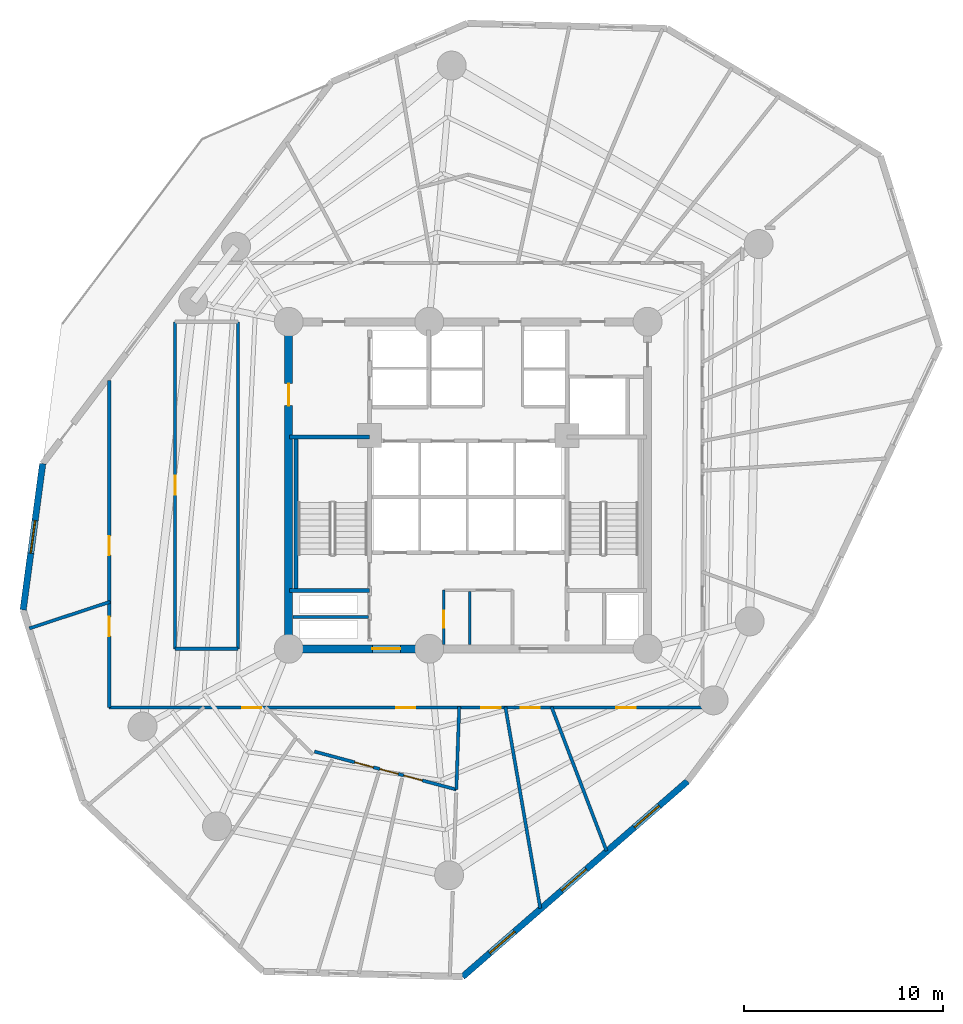
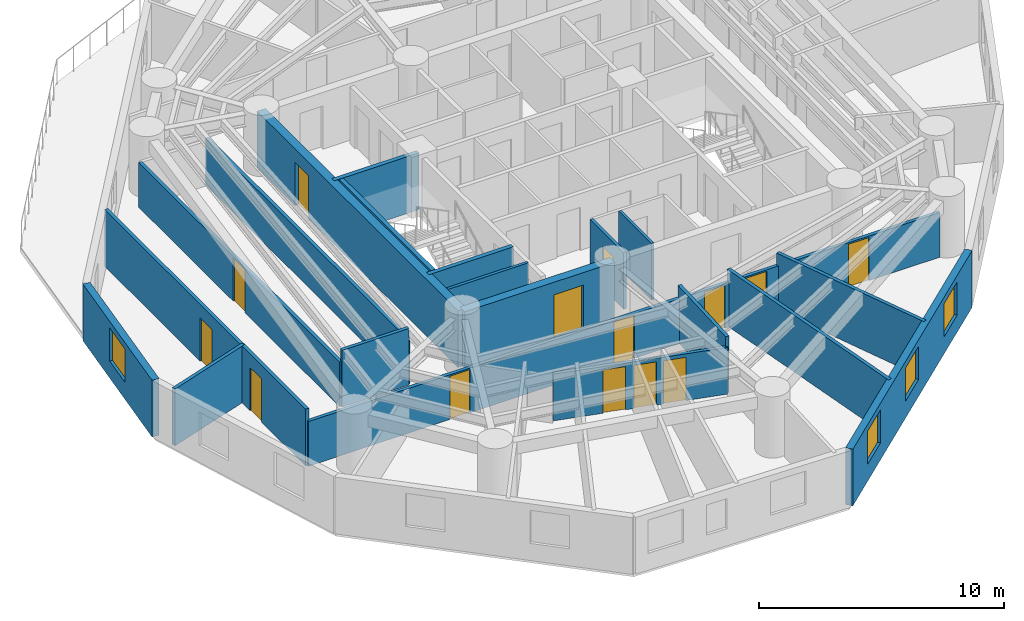
# One storey, part 3 of 9: 20 walls, 14 doors, 4 windows, 18 openings.
"""IFC4 building model written with IfcOpenShell, lengths in metres."""

from ifc_helpers import new_model, si_unit, direction, frame, frame_2d, origin, origin_with_axes, place, context, subcontext, project, spatial, rectangle, extrude, source, transform, mapped, material, layer, layer_set, type_object, element, fill, save


model = new_model("IFC4")

# Units and contexts
model_context = context("Model", 3, precision=1e-05, world=origin(), true_north=direction((0.0, 1.0)))
body_context = subcontext(model_context, "Body", "Model", "MODEL_VIEW")
ifc_project = project(units=[si_unit("LENGTHUNIT", "METRE"), si_unit("AREAUNIT", "SQUARE_METRE"), si_unit("VOLUMEUNIT", "CUBIC_METRE"), si_unit("PLANEANGLEUNIT", "RADIAN"), si_unit("MASSUNIT", "GRAM", prefix="KILO")], contexts=[model_context])

# Site, building, storey
site_placement = place(None, origin())
site = spatial("IfcSite", under=ifc_project, at=site_placement, CompositionType="ELEMENT")
building_placement = place(site_placement, origin())
building = spatial("IfcBuilding", under=site, at=building_placement, Name="Karkom Vertical University and Central Library", CompositionType="ELEMENT")
storey_placement = place(building_placement, frame((0.0, 0.0, 96.199951171875)))
storey = spatial("IfcBuildingStorey", under=building, at=storey_placement, Name="L25", CompositionType="ELEMENT", Elevation=96.199951171875)

# Wall, opening, window
ifc_material_1 = material(Name="Brick-faced precast concrete C45/55", Category="masonry")
ifc_layer_1 = layer(ifc_material_1, 0.320068359375)
ifc_layer_set_1 = layer_set([ifc_layer_1], Name="Brick-faced precast concrete C45/55")
wall_type_1 = type_object("IfcWallType", Name="ENV-WL-BRK-320", PredefinedType="SOLIDWALL", material=ifc_layer_set_1)
wall_1_placement = place(storey_placement, frame((7.16357421875, 27.585205078125, 0.0), z_axis=(0.0, 0.0, 1.0), x_axis=(-0.132479186678, -0.991185787377, 0.0)))
wall_1 = element("IfcWall", 1, at=wall_1_placement, inside=storey, type_object=wall_type_1, Name="Level 25 Brick-Faced Precast Facade Wall 01", PredefinedType="SOLIDWALL", context=body_context, shape_type="SweptSolid", body=[
    extrude(rectangle(XDim=7.40087890625, YDim=0.320068359375, at=frame_2d((3.700439453125, 0.0))), origin(), (0.0, 0.0, 1.0), 2.824951171875),
])
opening_1_placement = place(wall_1_placement, frame((2.87548828125, 0.0, 0.85009765625)))
opening_1 = element("IfcOpeningElement", 2, at=opening_1_placement, cuts=wall_1, Name="Opening WN-06", PredefinedType="OPENING", context=body_context, shape_type="SweptSolid", body=[
    extrude(rectangle(XDim=1.64990234375, YDim=1.64990234375, at=frame_2d((0.824951171875, 0.824951171875))), frame((0.0, 0.169921875, 0.0), z_axis=(0.0, -1.0, 0.0), x_axis=(1.0, 0.0, 0.0)), (0.0, 0.0, 1.0), 0.340087890625),
])
ifc_material_2 = material(Name="Aluminium thermal-break frame with solar-control IGU", Category="aluminium")
window_type = type_object("IfcWindowType", Name="ENV-WIN-WN-06", PartitioningType="SINGLE_PANEL", PredefinedType="WINDOW", material=ifc_material_2)
shared_shape_1 = source(origin_with_axes(), body_context, "Body", "SweptSolid", [
    extrude(rectangle(XDim=1.64990234375, YDim=1.64990234375, at=frame_2d((0.824951171875, 0.824951171875))), frame((0.0, 0.030029296875, 0.0), z_axis=(0.0, -1.0, 0.0), x_axis=(1.0, 0.0, 0.0)), (0.0, 0.0, 1.0), 0.06005859375),
])
window_1_placement = place(opening_1_placement, origin())
window_1 = element("IfcWindow", 3, at=window_1_placement, inside=storey, type_object=window_type, Name="Level 25 Punched Window 1.1", OverallHeight=1.64990234375, OverallWidth=1.64990234375, PartitioningType="SINGLE_PANEL", PredefinedType="WINDOW", context=body_context, shape_type="MappedRepresentation", body=[
    mapped(shared_shape_1, transform((0.0, 0.0, 0.0), scale=1.0)),
])
fill(opening_1, window_1)

# Wall, openings, windows
wall_2_placement = place(storey_placement, frame((28.2177734375, 1.85009765625, 0.0), z_axis=(0.0, 0.0, 1.0), x_axis=(0.754675133032, 0.65609865385, 0.0)))
wall_2 = element("IfcWall", 4, at=wall_2_placement, inside=storey, type_object=wall_type_1, Name="Level 25 Brick-Faced Precast Facade Wall 05", PredefinedType="SOLIDWALL", context=body_context, shape_type="SweptSolid", body=[
    extrude(rectangle(XDim=14.94921875, YDim=0.320068359375, at=frame_2d((7.474609375, 0.0))), origin(), (0.0, 0.0, 1.0), 2.824951171875),
])
opening_2_placement = place(wall_2_placement, frame((1.812744140625, 0.0, 0.85009765625)))
opening_2 = element("IfcOpeningElement", 5, at=opening_2_placement, cuts=wall_2, Name="Opening WN-06", PredefinedType="OPENING", context=body_context, shape_type="SweptSolid", body=[
    extrude(rectangle(XDim=1.64990234375, YDim=1.64990234375, at=frame_2d((0.824951171875, 0.824951171875))), frame((0.0, 0.169921875, 0.0), z_axis=(0.0, -1.0, 0.0), x_axis=(1.0, 0.0, 0.0)), (0.0, 0.0, 1.0), 0.340087890625),
])
opening_3_placement = place(wall_2_placement, frame((6.5859375, 0.0, 0.85009765625)))
opening_3 = element("IfcOpeningElement", 6, at=opening_3_placement, cuts=wall_2, Name="Opening WN-06", PredefinedType="OPENING", context=body_context, shape_type="SweptSolid", body=[
    extrude(rectangle(XDim=1.64990234375, YDim=1.64990234375, at=frame_2d((0.824951171875, 0.824951171875))), frame((0.0, 0.169921875, 0.0), z_axis=(0.0, -1.0, 0.0), x_axis=(1.0, 0.0, 0.0)), (0.0, 0.0, 1.0), 0.340087890625),
])
opening_4_placement = place(wall_2_placement, frame((11.4228515625, 0.0, 0.85009765625)))
opening_4 = element("IfcOpeningElement", 7, at=opening_4_placement, cuts=wall_2, Name="Opening WN-06", PredefinedType="OPENING", context=body_context, shape_type="SweptSolid", body=[
    extrude(rectangle(XDim=1.64990234375, YDim=1.64990234375, at=frame_2d((0.824951171875, 0.824951171875))), frame((0.0, 0.169921875, 0.0), z_axis=(0.0, -1.0, 0.0), x_axis=(1.0, 0.0, 0.0)), (0.0, 0.0, 1.0), 0.340087890625),
])
window_2_placement = place(opening_2_placement, origin())
window_2 = element("IfcWindow", 8, at=window_2_placement, inside=storey, type_object=window_type, Name="Level 25 Punched Window 5.1", OverallHeight=1.64990234375, OverallWidth=1.64990234375, PartitioningType="SINGLE_PANEL", PredefinedType="WINDOW", context=body_context, shape_type="MappedRepresentation", body=[
    mapped(shared_shape_1, transform((0.0, 0.0, 0.0), scale=1.0)),
])
fill(opening_2, window_2)
window_3_placement = place(opening_3_placement, origin())
window_3 = element("IfcWindow", 9, at=window_3_placement, inside=storey, type_object=window_type, Name="Level 25 Punched Window 5.2", OverallHeight=1.64990234375, OverallWidth=1.64990234375, PartitioningType="SINGLE_PANEL", PredefinedType="WINDOW", context=body_context, shape_type="MappedRepresentation", body=[
    mapped(shared_shape_1, transform((0.0, 0.0, 0.0), scale=1.0)),
])
fill(opening_3, window_3)
window_4_placement = place(opening_4_placement, origin())
window_4 = element("IfcWindow", 10, at=window_4_placement, inside=storey, type_object=window_type, Name="Level 25 Punched Window 5.3", OverallHeight=1.64990234375, OverallWidth=1.64990234375, PartitioningType="SINGLE_PANEL", PredefinedType="WINDOW", context=body_context, shape_type="MappedRepresentation", body=[
    mapped(shared_shape_1, transform((0.0, 0.0, 0.0), scale=1.0)),
])
fill(opening_4, window_4)

# Wall, openings, doors
ifc_material_3 = material(Name="Insulated metal-stud drywall 160mm", Category="gypsum")
ifc_layer_2 = layer(ifc_material_3, 0.159912109375)
ifc_layer_set_2 = layer_set([ifc_layer_2], Name="Insulated metal-stud drywall 160mm")
wall_type_2 = type_object("IfcWallType", Name="INT-WL-COR-160", PredefinedType="PARTITIONING", material=ifc_layer_set_2)
wall_3_placement = place(storey_placement, frame((40.25, 15.35009765625, 0.0), z_axis=(0.0, 0.0, 1.0), x_axis=(-1.0, 0.0, 0.0)))
wall_3 = element("IfcWall", 11, at=wall_3_placement, inside=storey, type_object=wall_type_2, Name="Level 25 Interior Partition Wall L25-CORW-CW-001", PredefinedType="PARTITIONING", context=body_context, shape_type="SweptSolid", body=[
    extrude(rectangle(XDim=29.75, YDim=0.159912109375, at=frame_2d((14.875, 0.0))), origin(), (0.0, 0.0, 1.0), 2.22509765625),
])
opening_5_placement = place(wall_3_placement, frame((22.12744140625, 0.0, 0.0)))
opening_5 = element("IfcOpeningElement", 12, at=opening_5_placement, cuts=wall_3, Name="Opening D-RM1", PredefinedType="OPENING", context=body_context, shape_type="SweptSolid", body=[
    extrude(rectangle(XDim=0.949951171875, YDim=2.14990234375, at=frame_2d((0.47509765625, 1.074951171875))), frame((0.0, 0.08984375, 0.0), z_axis=(0.0, -1.0, 0.0), x_axis=(1.0, 0.0, 0.0)), (0.0, 0.0, 1.0), 0.179931640625),
])
opening_6_placement = place(wall_3_placement, frame((14.39990234375, 0.0, 0.0)))
opening_6 = element("IfcOpeningElement", 13, at=opening_6_placement, cuts=wall_3, Name="Opening FD-RM2", PredefinedType="OPENING", context=body_context, shape_type="SweptSolid", body=[
    extrude(rectangle(XDim=0.9599609375, YDim=2.14990234375, at=frame_2d((0.47998046875, 1.074951171875))), frame((0.0, 0.08984375, 0.0), z_axis=(0.0, -1.0, 0.0), x_axis=(1.0, 0.0, 0.0)), (0.0, 0.0, 1.0), 0.179931640625),
])
opening_7_placement = place(wall_3_placement, frame((10.12744140625, 0.0, 0.0)))
opening_7 = element("IfcOpeningElement", 14, at=opening_7_placement, cuts=wall_3, Name="Opening FD-RM2", PredefinedType="OPENING", context=body_context, shape_type="SweptSolid", body=[
    extrude(rectangle(XDim=0.9599609375, YDim=2.14990234375, at=frame_2d((0.47998046875, 1.074951171875))), frame((0.0, 0.08984375, 0.0), z_axis=(0.0, -1.0, 0.0), x_axis=(1.0, 0.0, 0.0)), (0.0, 0.0, 1.0), 0.179931640625),
])
opening_8_placement = place(wall_3_placement, frame((8.157958984375, 0.0, 0.0)))
opening_8 = element("IfcOpeningElement", 15, at=opening_8_placement, cuts=wall_3, Name="Opening D-RM1", PredefinedType="OPENING", context=body_context, shape_type="SweptSolid", body=[
    extrude(rectangle(XDim=0.949951171875, YDim=2.14990234375, at=frame_2d((0.47509765625, 1.074951171875))), frame((0.0, 0.08984375, 0.0), z_axis=(0.0, -1.0, 0.0), x_axis=(1.0, 0.0, 0.0)), (0.0, 0.0, 1.0), 0.179931640625),
])
opening_9_placement = place(wall_3_placement, frame((3.352783203125, 0.0, 0.0)))
opening_9 = element("IfcOpeningElement", 16, at=opening_9_placement, cuts=wall_3, Name="Opening FD-RM2", PredefinedType="OPENING", context=body_context, shape_type="SweptSolid", body=[
    extrude(rectangle(XDim=0.9599609375, YDim=2.14990234375, at=frame_2d((0.47998046875, 1.074951171875))), frame((0.0, 0.08984375, 0.0), z_axis=(0.0, -1.0, 0.0), x_axis=(1.0, 0.0, 0.0)), (0.0, 0.0, 1.0), 0.179931640625),
])
ifc_material_4 = material(Name="Fire-rated oak veneer door", Category="wood")
door_type_1 = type_object("IfcDoorType", Name="INT-DR-FRM2", OperationType="NOTDEFINED", PredefinedType="DOOR", material=ifc_material_4)
shared_shape_2 = source(origin_with_axes(), body_context, "Body", "SweptSolid", [
    extrude(rectangle(XDim=0.9599609375, YDim=2.14990234375, at=frame_2d((0.47998046875, 1.074951171875))), frame((0.0, 0.02490234375, 0.0), z_axis=(0.0, -1.0, 0.0), x_axis=(1.0, 0.0, 0.0)), (0.0, 0.0, 1.0), 0.050048828125),
])
door_1_placement = place(opening_6_placement, origin())
door_1 = element("IfcDoor", 17, at=door_1_placement, inside=storey, type_object=door_type_1, Name="Level 25 Room Entry Door 050", OperationType="SINGLE_SWING_RIGHT", OverallHeight=2.14990234375, OverallWidth=0.9599609375, PredefinedType="DOOR", context=body_context, shape_type="MappedRepresentation", body=[
    mapped(shared_shape_2, transform((0.0, 0.0, 0.0), scale=1.0)),
])
fill(opening_6, door_1)
door_2_placement = place(opening_7_placement, origin())
door_2 = element("IfcDoor", 18, at=door_2_placement, inside=storey, type_object=door_type_1, Name="Level 25 Room Entry Door 080", OperationType="SINGLE_SWING_LEFT", OverallHeight=2.14990234375, OverallWidth=0.9599609375, PredefinedType="DOOR", context=body_context, shape_type="MappedRepresentation", body=[
    mapped(shared_shape_2, transform((0.0, 0.0, 0.0), scale=1.0)),
])
fill(opening_7, door_2)
door_3_placement = place(opening_9_placement, origin())
door_3 = element("IfcDoor", 19, at=door_3_placement, inside=storey, type_object=door_type_1, Name="Level 25 Room Entry Door 100", OperationType="SINGLE_SWING_LEFT", OverallHeight=2.14990234375, OverallWidth=0.9599609375, PredefinedType="DOOR", context=body_context, shape_type="MappedRepresentation", body=[
    mapped(shared_shape_2, transform((0.0, 0.0, 0.0), scale=1.0)),
])
fill(opening_9, door_3)
ifc_material_5 = material(Name="Solid-core oak veneer door", Category="wood")
door_type_2 = type_object("IfcDoorType", Name="INT-DR-RM1", OperationType="NOTDEFINED", PredefinedType="DOOR", material=ifc_material_5)
shared_shape_3 = source(origin_with_axes(), body_context, "Body", "SweptSolid", [
    extrude(rectangle(XDim=0.949951171875, YDim=2.14990234375, at=frame_2d((0.47509765625, 1.074951171875))), frame((0.0, 0.02490234375, 0.0), z_axis=(0.0, -1.0, 0.0), x_axis=(1.0, 0.0, 0.0)), (0.0, 0.0, 1.0), 0.050048828125),
])
door_4_placement = place(opening_5_placement, origin())
door_4 = element("IfcDoor", 20, at=door_4_placement, inside=storey, type_object=door_type_2, Name="Level 25 Room Entry Door 020", OperationType="SINGLE_SWING_LEFT", OverallHeight=2.14990234375, OverallWidth=0.949951171875, PredefinedType="DOOR", context=body_context, shape_type="MappedRepresentation", body=[
    mapped(shared_shape_3, transform((0.0, 0.0, 0.0), scale=1.0)),
])
fill(opening_5, door_4)
door_5_placement = place(opening_8_placement, origin())
door_5 = element("IfcDoor", 21, at=door_5_placement, inside=storey, type_object=door_type_2, Name="Level 25 Room Entry Door 090", OperationType="SINGLE_SWING_RIGHT", OverallHeight=2.14990234375, OverallWidth=0.949951171875, PredefinedType="DOOR", context=body_context, shape_type="MappedRepresentation", body=[
    mapped(shared_shape_3, transform((0.0, 0.0, 0.0), scale=1.0)),
])
fill(opening_8, door_5)

# Wall, opening, door
wall_4_placement = place(storey_placement, frame((13.800048828125, 34.699951171875, 0.0), z_axis=(0.0, 0.0, 1.0), x_axis=(0.0, -1.0, 0.0)))
wall_4 = element("IfcWall", 22, at=wall_4_placement, inside=storey, type_object=wall_type_2, Name="Level 25 Interior Partition Wall L25-CORW-CW-006", PredefinedType="PARTITIONING", context=body_context, shape_type="SweptSolid", body=[
    extrude(rectangle(XDim=16.39990234375, YDim=0.159912109375, at=frame_2d((8.199951171875, 0.0))), origin(), (0.0, 0.0, 1.0), 2.22509765625),
])
opening_10_placement = place(wall_4_placement, frame((7.72509765625, 0.0, 0.0)))
opening_10 = element("IfcOpeningElement", 23, at=opening_10_placement, cuts=wall_4, Name="Opening FD-RM2", PredefinedType="OPENING", context=body_context, shape_type="SweptSolid", body=[
    extrude(rectangle(XDim=0.9599609375, YDim=2.14990234375, at=frame_2d((0.47998046875, 1.074951171875))), frame((0.0, 0.08984375, 0.0), z_axis=(0.0, -1.0, 0.0), x_axis=(1.0, 0.0, 0.0)), (0.0, 0.0, 1.0), 0.179931640625),
])
door_6_placement = place(opening_10_placement, origin())
door_6 = element("IfcDoor", 24, at=door_6_placement, inside=storey, type_object=door_type_1, Name="Level 25 Room Entry Door 250", OperationType="SINGLE_SWING_LEFT", OverallHeight=2.14990234375, OverallWidth=0.9599609375, PredefinedType="DOOR", context=body_context, shape_type="MappedRepresentation", body=[
    mapped(shared_shape_2, transform((0.0, 0.0, 0.0), scale=1.0)),
])
fill(opening_10, door_6)

# Wall
wall_5_placement = place(storey_placement, frame((16.949951171875, 18.300048828125, 0.0), z_axis=(0.0, 0.0, 1.0), x_axis=(0.0, 1.0, 0.0)))
element("IfcWall", 25, at=wall_5_placement, inside=storey, type_object=wall_type_2, Name="Level 25 Interior Partition Wall L25-CORW-CW-008", PredefinedType="PARTITIONING", context=body_context, shape_type="SweptSolid", body=[
    extrude(rectangle(XDim=16.39990234375, YDim=0.159912109375, at=frame_2d((8.199951171875, 0.0))), origin(), (0.0, 0.0, 1.0), 2.324951171875),
])

# Wall, openings, doors
wall_6_placement = place(storey_placement, frame((10.5, 15.35009765625, 0.0), z_axis=(0.0, 0.0, 1.0), x_axis=(0.0, 1.0, 0.0)))
wall_6 = element("IfcWall", 26, at=wall_6_placement, inside=storey, type_object=wall_type_2, Name="Level 25 Interior Partition Wall L25-CORW-CW-002", PredefinedType="PARTITIONING", context=body_context, shape_type="SweptSolid", body=[
    extrude(rectangle(XDim=16.3935546875, YDim=0.159912109375, at=frame_2d((8.19677734375, 0.0))), origin(), (0.0, 0.0, 1.0), 2.824951171875),
])
opening_11_placement = place(wall_6_placement, frame((7.64794921875, 0.0, 0.0)))
opening_11 = element("IfcOpeningElement", 27, at=opening_11_placement, cuts=wall_6, Name="Opening D-RM1", PredefinedType="OPENING", context=body_context, shape_type="SweptSolid", body=[
    extrude(rectangle(XDim=0.949951171875, YDim=2.14990234375, at=frame_2d((0.47509765625, 1.074951171875))), frame((0.0, 0.08984375, 0.0), z_axis=(0.0, -1.0, 0.0), x_axis=(1.0, 0.0, 0.0)), (0.0, 0.0, 1.0), 0.179931640625),
])
opening_12_placement = place(wall_6_placement, frame((3.58642578125, 0.0, 0.0)))
opening_12 = element("IfcOpeningElement", 28, at=opening_12_placement, cuts=wall_6, Name="Opening FD-RM2", PredefinedType="OPENING", context=body_context, shape_type="SweptSolid", body=[
    extrude(rectangle(XDim=0.9599609375, YDim=2.14990234375, at=frame_2d((0.47998046875, 1.074951171875))), frame((0.0, 0.08984375, 0.0), z_axis=(0.0, -1.0, 0.0), x_axis=(1.0, 0.0, 0.0)), (0.0, 0.0, 1.0), 0.179931640625),
])
door_7_placement = place(opening_12_placement, origin())
door_7 = element("IfcDoor", 29, at=door_7_placement, inside=storey, type_object=door_type_1, Name="Level 25 Room Entry Door 010", OperationType="SINGLE_SWING_RIGHT", OverallHeight=2.14990234375, OverallWidth=0.9599609375, PredefinedType="DOOR", context=body_context, shape_type="MappedRepresentation", body=[
    mapped(shared_shape_2, transform((0.0, 0.0, 0.0), scale=1.0)),
])
fill(opening_12, door_7)
door_8_placement = place(opening_11_placement, origin())
door_8 = element("IfcDoor", 30, at=door_8_placement, inside=storey, type_object=door_type_2, Name="Level 25 Room Entry Door 000", OperationType="SINGLE_SWING_LEFT", OverallHeight=2.14990234375, OverallWidth=0.949951171875, PredefinedType="DOOR", context=body_context, shape_type="MappedRepresentation", body=[
    mapped(shared_shape_3, transform((0.0, 0.0, 0.0), scale=1.0)),
])
fill(opening_11, door_8)

# Walls
wall_7_placement = place(storey_placement, frame((30.36474609375, 15.394287109375, 0.0), z_axis=(0.0, 0.0, 1.0), x_axis=(0.170863116861, -0.985294775839, 0.0)))
element("IfcWall", 31, at=wall_7_placement, inside=storey, type_object=wall_type_2, Name="Level 25 Interior Partition Wall L25-PW-016", PredefinedType="PARTITIONING", context=body_context, shape_type="SweptSolid", body=[
    extrude(rectangle(XDim=10.25927734375, YDim=0.159912109375, at=frame_2d((5.129638671875, 0.0))), origin(), (0.0, 0.0, 1.0), 2.824951171875),
])
wall_8_placement = place(storey_placement, frame((32.67919921875, 15.39208984375, 0.0), z_axis=(0.0, 0.0, 1.0), x_axis=(0.356831287963, -0.934168845515, 0.0)))
element("IfcWall", 32, at=wall_8_placement, inside=storey, type_object=wall_type_2, Name="Level 25 Interior Partition Wall L25-PW-017", PredefinedType="PARTITIONING", context=body_context, shape_type="SweptSolid", body=[
    extrude(rectangle(XDim=7.73486328125, YDim=0.159912109375, at=frame_2d((3.867431640625, 0.0))), origin(), (0.0, 0.0, 1.0), 2.824951171875),
])

# Wall, openings, doors
wall_9_placement = place(storey_placement, frame((27.906982421875, 11.24169921875, 0.0), z_axis=(0.0, 0.0, 1.0), x_axis=(-0.965920682586, 0.258838240899, 0.0)))
wall_9 = element("IfcWall", 33, at=wall_9_placement, inside=storey, type_object=wall_type_2, Name="Level 25 Interior Partition Wall L25-PW-011", PredefinedType="PARTITIONING", context=body_context, shape_type="SweptSolid", body=[
    extrude(rectangle(XDim=7.366455078125, YDim=0.159912109375, at=frame_2d((3.68310546875, 0.0))), origin(), (0.0, 0.0, 1.0), 2.324951171875),
])
opening_13_placement = place(wall_9_placement, frame((4.313232421875, 0.0, 0.0)))
opening_13 = element("IfcOpeningElement", 34, at=opening_13_placement, cuts=wall_9, Name="Opening FD-RM2", PredefinedType="OPENING", context=body_context, shape_type="SweptSolid", body=[
    extrude(rectangle(XDim=0.9599609375, YDim=2.14990234375, at=frame_2d((0.47998046875, 1.074951171875))), frame((0.0, 0.08984375, 0.0), z_axis=(0.0, -1.0, 0.0), x_axis=(1.0, 0.0, 0.0)), (0.0, 0.0, 1.0), 0.179931640625),
])
opening_14_placement = place(wall_9_placement, frame((3.018310546875, 0.0, 0.0)))
opening_14 = element("IfcOpeningElement", 35, at=opening_14_placement, cuts=wall_9, Name="Opening D-RM1", PredefinedType="OPENING", context=body_context, shape_type="SweptSolid", body=[
    extrude(rectangle(XDim=0.949951171875, YDim=2.14990234375, at=frame_2d((0.47509765625, 1.074951171875))), frame((0.0, 0.08984375, 0.0), z_axis=(0.0, -1.0, 0.0), x_axis=(1.0, 0.0, 0.0)), (0.0, 0.0, 1.0), 0.179931640625),
])
opening_15_placement = place(wall_9_placement, frame((1.76318359375, 0.0, 0.0)))
opening_15 = element("IfcOpeningElement", 36, at=opening_15_placement, cuts=wall_9, Name="Opening FD-RM2", PredefinedType="OPENING", context=body_context, shape_type="SweptSolid", body=[
    extrude(rectangle(XDim=0.9599609375, YDim=2.14990234375, at=frame_2d((0.47998046875, 1.074951171875))), frame((0.0, 0.08984375, 0.0), z_axis=(0.0, -1.0, 0.0), x_axis=(1.0, 0.0, 0.0)), (0.0, 0.0, 1.0), 0.179931640625),
])
door_9_placement = place(opening_13_placement, origin())
door_9 = element("IfcDoor", 37, at=door_9_placement, inside=storey, type_object=door_type_1, Name="Level 25 Room Entry Door 040", OperationType="SINGLE_SWING_LEFT", OverallHeight=2.14990234375, OverallWidth=0.9599609375, PredefinedType="DOOR", context=body_context, shape_type="MappedRepresentation", body=[
    mapped(shared_shape_2, transform((0.0, 0.0, 0.0), scale=1.0)),
])
fill(opening_13, door_9)
door_10_placement = place(opening_15_placement, origin())
door_10 = element("IfcDoor", 38, at=door_10_placement, inside=storey, type_object=door_type_1, Name="Level 25 Room Entry Door 070", OperationType="SINGLE_SWING_LEFT", OverallHeight=2.14990234375, OverallWidth=0.9599609375, PredefinedType="DOOR", context=body_context, shape_type="MappedRepresentation", body=[
    mapped(shared_shape_2, transform((0.0, 0.0, 0.0), scale=1.0)),
])
fill(opening_15, door_10)
door_11_placement = place(opening_14_placement, origin())
door_11 = element("IfcDoor", 39, at=door_11_placement, inside=storey, type_object=door_type_2, Name="Level 25 Room Entry Door 060", OperationType="SINGLE_SWING_RIGHT", OverallHeight=2.14990234375, OverallWidth=0.949951171875, PredefinedType="DOOR", context=body_context, shape_type="MappedRepresentation", body=[
    mapped(shared_shape_3, transform((0.0, 0.0, 0.0), scale=1.0)),
])
fill(opening_14, door_11)

# Walls
wall_10_placement = place(storey_placement, frame((10.542724609375, 20.656005859375, 0.0), z_axis=(0.0, 0.0, 1.0), x_axis=(-0.949931162853, -0.312459254689, 0.0)))
element("IfcWall", 40, at=wall_10_placement, inside=storey, type_object=wall_type_2, Name="Level 25 Interior Partition Wall L25-PW-001", PredefinedType="PARTITIONING", context=body_context, shape_type="SweptSolid", body=[
    extrude(rectangle(XDim=4.259033203125, YDim=0.159912109375, at=frame_2d((2.12939453125, 0.0))), origin(), (0.0, 0.0, 1.0), 2.824951171875),
])
wall_11_placement = place(storey_placement, frame((28.052001953125, 15.39501953125, 0.0), z_axis=(0.0, 0.0, 1.0), x_axis=(-0.034895264462, -0.999390974803, 0.0)))
element("IfcWall", 41, at=wall_11_placement, inside=storey, type_object=wall_type_2, Name="Level 25 Interior Partition Wall L25-PW-012", PredefinedType="PARTITIONING", context=body_context, shape_type="SweptSolid", body=[
    extrude(rectangle(XDim=4.15576171875, YDim=0.159912109375, at=frame_2d((2.077880859375, 0.0))), origin(), (0.0, 0.0, 1.0), 2.824951171875),
])
wall_12_placement = place(storey_placement, frame((13.800048828125, 18.300048828125, 0.0), z_axis=(0.0, 0.0, 1.0), x_axis=(1.0, 0.0, 0.0)))
element("IfcWall", 42, at=wall_12_placement, inside=storey, type_object=wall_type_2, Name="Level 25 Interior Partition Wall L25-CORW-CW-007", PredefinedType="PARTITIONING", context=body_context, shape_type="SweptSolid", body=[
    extrude(rectangle(XDim=3.14990234375, YDim=0.159912109375, at=frame_2d((1.574951171875, 0.0))), origin(), (0.0, 0.0, 1.0), 2.824951171875),
])
ifc_material_6 = material(Name="Moisture-resistant drywall 120mm", Category="gypsum")
ifc_layer_3 = layer(ifc_material_6, 0.1201171875)
ifc_layer_set_3 = layer_set([ifc_layer_3], Name="Moisture-resistant drywall 120mm")
wall_type_3 = type_object("IfcWallType", Name="INT-WL-INT-120", PredefinedType="PARTITIONING", material=ifc_layer_set_3)
wall_13_placement = place(storey_placement, frame((28.580078125, 18.507080078125, 0.0), z_axis=(0.0, 0.0, 1.0), x_axis=(0.0, 1.0, 0.0)))
element("IfcWall", 43, at=wall_13_placement, inside=storey, type_object=wall_type_3, Name="Level 25 Interior Partition Wall L25-CW-K2-DIV", PredefinedType="PARTITIONING", context=body_context, shape_type="SweptSolid", body=[
    extrude(rectangle(XDim=2.66162109375, YDim=0.1201171875, at=frame_2d((1.330810546875, 0.0))), origin(), (0.0, 0.0, 1.0), 2.824951171875),
])

# Wall, opening, door
ifc_material_7 = material(Name="Metal-stud gypsum partition 140mm", Category="gypsum")
ifc_layer_4 = layer(ifc_material_7, 0.139892578125)
ifc_layer_set_4 = layer_set([ifc_layer_4], Name="Metal-stud gypsum partition 140mm")
wall_type_4 = type_object("IfcWallType", Name="INT-WL-SUB-140", PredefinedType="PARTITIONING", material=ifc_layer_set_4)
wall_14_placement = place(storey_placement, frame((27.280029296875, 18.507080078125, 0.0), z_axis=(0.0, 0.0, 1.0), x_axis=(0.0, 1.0, 0.0)))
wall_14 = element("IfcWall", 44, at=wall_14_placement, inside=storey, type_object=wall_type_4, Name="Level 25 Interior Partition Wall L25-CW-KBAY-W", PredefinedType="PARTITIONING", context=body_context, shape_type="SweptSolid", body=[
    extrude(rectangle(XDim=2.73291015625, YDim=0.139892578125, at=frame_2d((1.366455078125, 0.0))), origin(), (0.0, 0.0, 1.0), 2.824951171875),
])
opening_16_placement = place(wall_14_placement, frame((0.840087890625, 0.0, 0.0)))
opening_16 = element("IfcOpeningElement", 45, at=opening_16_placement, cuts=wall_14, Name="Opening D-BATH", PredefinedType="OPENING", context=body_context, shape_type="SweptSolid", body=[
    extrude(rectangle(XDim=0.860107421875, YDim=2.10009765625, at=frame_2d((0.43017578125, 1.050048828125))), frame((0.0, 0.080078125, 0.0), z_axis=(0.0, -1.0, 0.0), x_axis=(1.0, 0.0, 0.0)), (0.0, 0.0, 1.0), 0.159912109375),
])
ifc_material_8 = material(Name="Moisture-resistant oak door", Category="wood")
door_type_3 = type_object("IfcDoorType", Name="INT-DR-BATH", OperationType="NOTDEFINED", PredefinedType="DOOR", material=ifc_material_8)
shared_shape_4 = source(origin_with_axes(), body_context, "Body", "SweptSolid", [
    extrude(rectangle(XDim=0.860107421875, YDim=2.10009765625, at=frame_2d((0.43017578125, 1.050048828125))), frame((0.0, 0.02490234375, 0.0), z_axis=(0.0, -1.0, 0.0), x_axis=(1.0, 0.0, 0.0)), (0.0, 0.0, 1.0), 0.050048828125),
])
door_12_placement = place(opening_16_placement, origin())
door_12 = element("IfcDoor", 46, at=door_12_placement, inside=storey, type_object=door_type_3, Name="Level 25 Cleaners Store Door", OperationType="SINGLE_SWING_RIGHT", OverallHeight=2.10009765625, OverallWidth=0.860107421875, PredefinedType="DOOR", context=body_context, shape_type="MappedRepresentation", body=[
    mapped(shared_shape_4, transform((0.0, 0.0, 0.0), scale=1.0)),
])
fill(opening_16, door_12)

# Wall
ifc_layer_5 = layer(ifc_material_7, 0.139892578125)
ifc_layer_set_5 = layer_set([ifc_layer_5], Name="Metal-stud gypsum partition 140mm")
wall_type_5 = type_object("IfcWallType", Name="INT-WL-SUB-140H", PredefinedType="PARTITIONING", material=ifc_layer_set_5)
wall_15_placement = place(storey_placement, frame((19.70703125, 19.889892578125, 0.0), z_axis=(0.0, 0.0, 1.0), x_axis=(1.0, 0.0, 0.0)))
element("IfcWall", 47, at=wall_15_placement, inside=storey, type_object=wall_type_5, Name="Level 25 Interior Partition Wall L25-CW-RIS-W", PredefinedType="PARTITIONING", context=body_context, shape_type="SweptSolid", body=[
    extrude(rectangle(XDim=3.789794921875, YDim=0.139892578125, at=frame_2d((1.89501953125, 0.0))), origin(), (0.0, 0.0, 1.0), 2.824951171875),
])

# Wall, opening, door
ifc_material_9 = material(Name="Concrete C50/60", Category="concrete")
ifc_layer_6 = layer(ifc_material_9, 0.39990234375)
ifc_layer_set_6 = layer_set([ifc_layer_6], Name="Concrete C50/60")
wall_type_6 = type_object("IfcWallType", Name="STR-WL-CW-400", PredefinedType="SHEAR", material=ifc_layer_set_6)
wall_16_placement = place(storey_placement, frame((19.5, 18.300048828125, 0.0), z_axis=(0.0, 0.0, 1.0), x_axis=(1.0, 0.0, 0.0)))
wall_16 = element("IfcWall", 48, at=wall_16_placement, inside=storey, type_object=wall_type_6, Name="Level 25 Central Core Shear Wall SW1", PredefinedType="SHEAR", context=body_context, shape_type="SweptSolid", body=[
    extrude(rectangle(XDim=7.050048828125, YDim=0.39990234375, at=frame_2d((3.52490234375, 0.0))), origin(), (0.0, 0.0, 1.0), 2.824951171875),
])
opening_17_placement = place(wall_16_placement, frame((4.199951171875, 0.0, 0.0)))
opening_17 = element("IfcOpeningElement", 49, at=opening_17_placement, cuts=wall_16, Name="Opening FD-CLB", PredefinedType="OPENING", context=body_context, shape_type="SweptSolid", body=[
    extrude(rectangle(XDim=1.39990234375, YDim=2.199951171875, at=frame_2d((0.699951171875, 1.10009765625))), frame((0.0, 0.2099609375, 0.0), z_axis=(0.0, -1.0, 0.0), x_axis=(1.0, 0.0, 0.0)), (0.0, 0.0, 1.0), 0.419921875),
])
ifc_material_10 = material(Name="Painted steel fire door", Category="steel")
door_type_4 = type_object("IfcDoorType", Name="INT-DR-CLB", OperationType="DOUBLE_DOOR_SINGLE_SWING", PredefinedType="DOOR", material=ifc_material_10)
shared_shape_5 = source(origin_with_axes(), body_context, "Body", "SweptSolid", [
    extrude(rectangle(XDim=1.39990234375, YDim=2.199951171875, at=frame_2d((0.699951171875, 1.10009765625))), frame((0.0, 0.02490234375, 0.0), z_axis=(0.0, -1.0, 0.0), x_axis=(1.0, 0.0, 0.0)), (0.0, 0.0, 1.0), 0.050048828125),
])
door_13_placement = place(opening_17_placement, origin())
door_13 = element("IfcDoor", 50, at=door_13_placement, inside=storey, type_object=door_type_4, Name="Level 25 South Core Lobby West Exit Door", OperationType="DOUBLE_DOOR_SINGLE_SWING", OverallHeight=2.199951171875, OverallWidth=1.39990234375, PredefinedType="DOOR", context=body_context, shape_type="MappedRepresentation", body=[
    mapped(shared_shape_5, transform((0.0, 0.0, 0.0), scale=1.0)),
])
fill(opening_17, door_13)

wall_17_placement = place(storey_placement, frame((19.5, 34.699951171875, 0.0), z_axis=(0.0, 0.0, 1.0), x_axis=(0.0, -1.0, 0.0)))
wall_17 = element("IfcWall", 51, at=wall_17_placement, inside=storey, type_object=wall_type_6, Name="Level 25 Central Core Shear Wall WW", PredefinedType="SHEAR", context=body_context, shape_type="SweptSolid", body=[
    extrude(rectangle(XDim=16.39990234375, YDim=0.39990234375, at=frame_2d((8.199951171875, 0.0))), origin(), (0.0, 0.0, 1.0), 2.824951171875),
])
opening_18_placement = place(wall_17_placement, frame((3.10009765625, 0.0, 0.0)))
opening_18 = element("IfcOpeningElement", 52, at=opening_18_placement, cuts=wall_17, Name="Opening FD-FFL", PredefinedType="OPENING", context=body_context, shape_type="SweptSolid", body=[
    extrude(rectangle(XDim=1.10009765625, YDim=2.14990234375, at=frame_2d((0.550048828125, 1.074951171875))), frame((0.0, 0.2099609375, 0.0), z_axis=(0.0, -1.0, 0.0), x_axis=(1.0, 0.0, 0.0)), (0.0, 0.0, 1.0), 0.419921875),
])
ifc_material_11 = material(Name="Painted steel smoke-seal fire door", Category="steel")
door_type_5 = type_object("IfcDoorType", Name="INT-DR-FFL", OperationType="NOTDEFINED", PredefinedType="DOOR", material=ifc_material_11)
shared_shape_6 = source(origin_with_axes(), body_context, "Body", "SweptSolid", [
    extrude(rectangle(XDim=1.10009765625, YDim=2.14990234375, at=frame_2d((0.550048828125, 1.074951171875))), frame((0.0, 0.02490234375, 0.0), z_axis=(0.0, -1.0, 0.0), x_axis=(1.0, 0.0, 0.0)), (0.0, 0.0, 1.0), 0.050048828125),
])
door_14_placement = place(opening_18_placement, origin())
door_14 = element("IfcDoor", 53, at=door_14_placement, inside=storey, type_object=door_type_5, Name="Level 25 West Corridor Firefighting Lobby Door", OperationType="SINGLE_SWING_RIGHT", OverallHeight=2.14990234375, OverallWidth=1.10009765625, PredefinedType="DOOR", context=body_context, shape_type="MappedRepresentation", body=[
    mapped(shared_shape_6, transform((0.0, 0.0, 0.0), scale=1.0)),
])
fill(opening_18, door_14)

# Walls
ifc_material_12 = material(Name="Concrete C45/55", Category="concrete")
ifc_layer_7 = layer(ifc_material_12, 0.199951171875)
ifc_layer_set_7 = layer_set([ifc_layer_7], Name="Concrete C45/55")
wall_type_7 = type_object("IfcWallType", Name="STR-WL-ST-200", PredefinedType="SHEAR", material=ifc_layer_set_7)
wall_18_placement = place(storey_placement, frame((19.875, 21.320068359375, 0.0), z_axis=(0.0, 0.0, 1.0), x_axis=(0.0, 1.0, 0.0)))
element("IfcWall", 54, at=wall_18_placement, inside=storey, type_object=wall_type_7, Name="Level 25 Core Shaft Wall L25-CW-ST1-W", PredefinedType="SHEAR", context=body_context, shape_type="SweptSolid", body=[
    extrude(rectangle(XDim=7.5, YDim=0.199951171875, at=frame_2d((3.75, 0.0))), origin(), (0.0, 0.0, 1.0), 2.824951171875),
])
for number, where, z_axis, x_axis, name in (
    (55, (19.550048828125, 21.215087890625, 0.0), (0.0, 0.0, 1.0), (1.0, 0.0, 0.0), "Level 25 Core Shaft Wall L25-CW-ST1-S"),
    (56, (19.550048828125, 28.925048828125, 0.0), (0.0, 0.0, 1.0), (1.0, 0.0, 0.0), "Level 25 Core Shaft Wall L25-CW-ST1-N"),
):
    element("IfcWall", number, at=place(storey_placement, frame(where, z_axis=z_axis, x_axis=x_axis)), inside=storey, type_object=wall_type_7, Name=name, PredefinedType="SHEAR", context=body_context, shape_type="SweptSolid", body=[
        extrude(rectangle(XDim=3.994873046875, YDim=0.199951171875, at=frame_2d((1.99755859375, 0.0))), origin(), (0.0, 0.0, 1.0), 2.824951171875),
    ])

save(model, "model.ifc")
